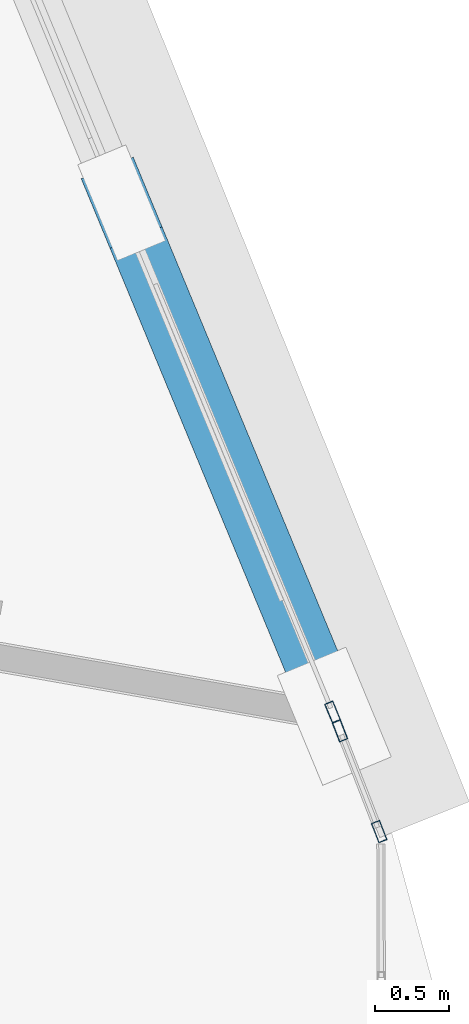
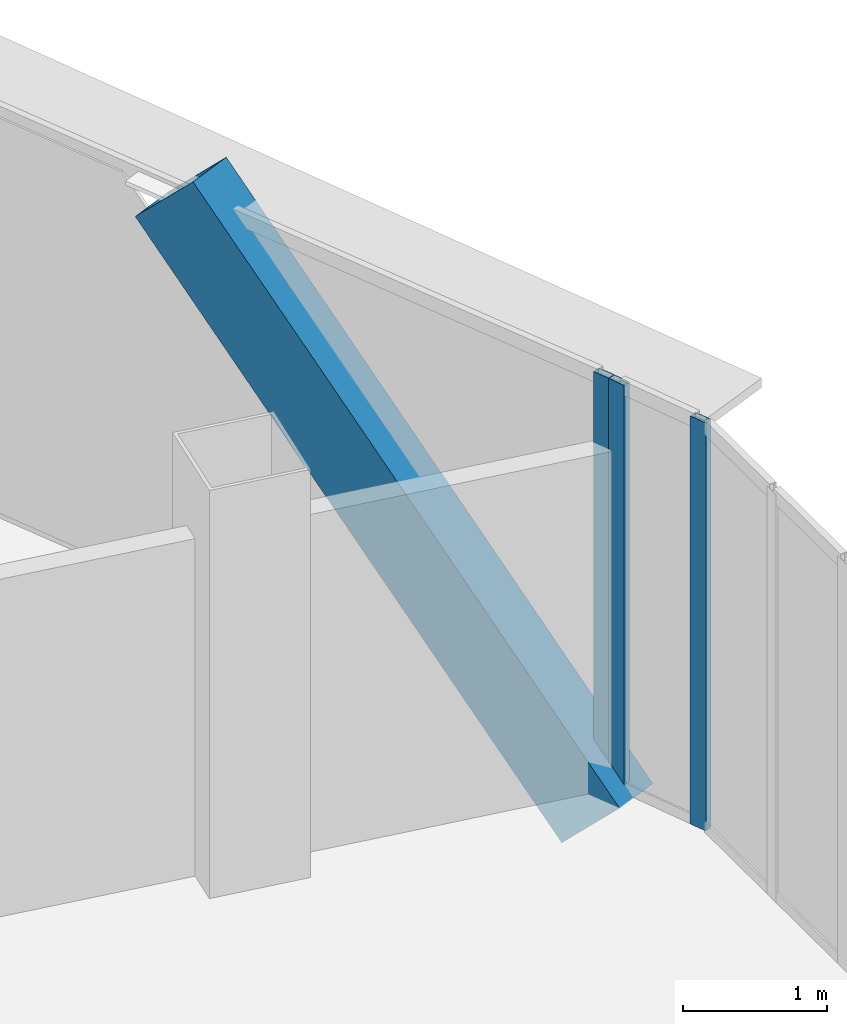
# One storey, part 16 of 40: 4 members, 2 elements without a shape of their own.
"""IFC4 building model written with IfcOpenShell, lengths in metres."""

from ifc_helpers import new_model, si_unit, direction, frame, origin, origin_2d, place, context, subcontext, project, spatial, hollow_rectangle, extrude, source, transform, mapped, material, layer, layer_set, material_profile, profile_set, type_object, element, aggregate, save


model = new_model("IFC4")

# Units and contexts
model_context = context("Model", 3, precision=1e-05, world=origin(), true_north=direction((0.0, 1.0)))
body_context = subcontext(model_context, "Body", "Model", "MODEL_VIEW")
ifc_project = project(units=[si_unit("LENGTHUNIT", "METRE"), si_unit("AREAUNIT", "SQUARE_METRE"), si_unit("VOLUMEUNIT", "CUBIC_METRE"), si_unit("PLANEANGLEUNIT", "RADIAN"), si_unit("MASSUNIT", "GRAM", prefix="KILO"), si_unit("THERMODYNAMICTEMPERATUREUNIT", "KELVIN"), si_unit("POWERUNIT", "WATT")], contexts=[model_context])

# Site, building, storey
site_placement = place(None, origin())
site = spatial("IfcSite", under=ifc_project, at=site_placement, CompositionType="ELEMENT")
building_placement = place(site_placement, origin())
building = spatial("IfcBuilding", under=site, at=building_placement, Name="Yunzhuo Pagoda Commons", CompositionType="ELEMENT")
storey_placement = place(building_placement, frame((0.0, 0.0, 288.75)))
storey = spatial("IfcBuildingStorey", under=building, at=storey_placement, Name="L72", CompositionType="ELEMENT", Elevation=288.75)

# Member
ifc_material_1 = material(Name="Structural steel Q355B", Category="steel")
ifc_material_profile_1 = material_profile(ifc_material_1, hollow_rectangle(XDim=0.3798828125, YDim=0.719970703125, WallThickness=0.02001953125, at=origin_2d()), Name="Structural steel Q355B")
ifc_profile_set_1 = profile_set([ifc_material_profile_1], Name="Structural steel Q355B")
member_type_1 = type_object("IfcMemberType", Name="M-DL3 Brace BOX 720x380x20", PredefinedType="BRACE", material=ifc_profile_set_1)
shared_shape_1 = source(origin(), body_context, "Body", "SweptSolid", [
    extrude(hollow_rectangle(XDim=0.3798828125, YDim=0.719970703125, WallThickness=0.02001953125, at=origin_2d()), origin(), (0.0, 0.0, 1.0), 5.2861328125),
])
member_1_placement = place(storey_placement, frame((79.331787109375, 28.17529296875, -0.260009765625), z_axis=(-0.271107837115, 0.654676932046, 0.705619341644), x_axis=(-0.923913570952, -0.38260124596, 0.0)))
element("IfcMember", 1, at=member_1_placement, inside=storey, type_object=member_type_1, Name="L72 facade diamond brace F2.1L", PredefinedType="BRACE", context=body_context, shape_type="MappedRepresentation", body=[
    mapped(shared_shape_1, transform((0.0, 0.0, 0.0), scale=1.0)),
])

# Curtain wall, member
ifc_material_2 = material(Name="Anodized aluminium 6063-T6", Category="aluminium")
ifc_layer = layer(ifc_material_2, 0.139892578125)
ifc_layer_set = layer_set([ifc_layer], Name="Anodized aluminium 6063-T6")
curtain_wall_type = type_object("IfcCurtainWallType", Name="CW-HI High-Zone Ribbon Curtain Wall", PredefinedType="NOTDEFINED", material=ifc_layer_set)
curtain_wall_1_placement = place(storey_placement, origin())
curtain_wall_1 = element("IfcCurtainWall", 2, at=curtain_wall_1_placement, inside=storey, type_object=curtain_wall_type, Name="L72 curtain wall CW-L72-F2B2", PredefinedType="NOTDEFINED")
ifc_material_profile_2 = material_profile(ifc_material_2, hollow_rectangle(XDim=0.06005859375, YDim=0.139892578125, WallThickness=0.00341796875, at=origin_2d()), Name="Anodized aluminium 6063-T6")
ifc_profile_set_2 = profile_set([ifc_material_profile_2], Name="Anodized aluminium 6063-T6")
member_type_2 = type_object("IfcMemberType", Name="CW-HI-M Mullion RHS 140x60x3.5", PredefinedType="MULLION", material=ifc_profile_set_2)
shared_shape_2 = source(origin(), body_context, "Body", "SweptSolid", [
    extrude(hollow_rectangle(XDim=0.06005859375, YDim=0.139892578125, WallThickness=0.00341796875, at=origin_2d()), origin(), (0.0, 0.0, 1.0), 3.469970703125),
])
member_2_placement = place(storey_placement, frame((79.320556640625, 28.203125, 0.0), z_axis=(0.0, 0.0, 1.0), x_axis=(-0.923899046183, -0.382636318796, 0.0)))
member_2 = element("IfcMember", 3, at=member_2_placement, type_object=member_type_2, Name="CW mullion 1", PredefinedType="MULLION", context=body_context, shape_type="MappedRepresentation", body=[
    mapped(shared_shape_2, transform((0.0, 0.0, 0.0), scale=1.0)),
])
aggregate(curtain_wall_1, [member_2])

# Curtain wall, members
curtain_wall_2_placement = place(storey_placement, origin())
curtain_wall_2 = element("IfcCurtainWall", 4, at=curtain_wall_2_placement, inside=storey, type_object=curtain_wall_type, Name="L72 curtain wall CW-L72-F2B1", PredefinedType="NOTDEFINED")
member_3_placement = place(storey_placement, frame((79.63427734375, 27.398193359375, 0.0), z_axis=(0.0, 0.0, 1.0), x_axis=(-0.931923767987, -0.36265423017, 0.0)))
member_3 = element("IfcMember", 5, at=member_3_placement, type_object=member_type_2, Name="CW mullion 1", PredefinedType="MULLION", context=body_context, shape_type="MappedRepresentation", body=[
    mapped(shared_shape_2, transform((0.0, 0.0, 0.0), scale=1.0)),
])
member_4_placement = place(storey_placement, frame((79.369873046875, 28.07763671875, 0.0), z_axis=(0.0, 0.0, 1.0), x_axis=(-0.931923767987, -0.36265423017, 0.0)))
member_4 = element("IfcMember", 6, at=member_4_placement, type_object=member_type_2, Name="CW mullion 2", PredefinedType="MULLION", context=body_context, shape_type="MappedRepresentation", body=[
    mapped(shared_shape_2, transform((0.0, 0.0, 0.0), scale=1.0)),
])
aggregate(curtain_wall_2, [member_3, member_4])

save(model, "model.ifc")
